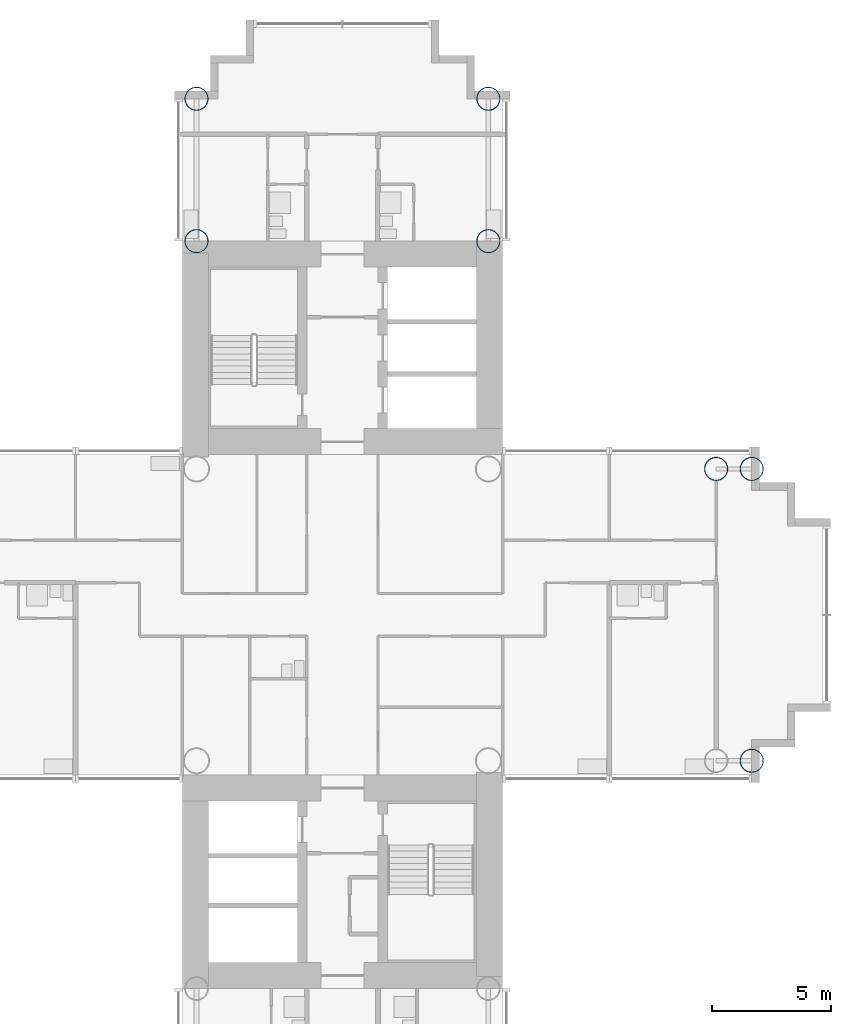
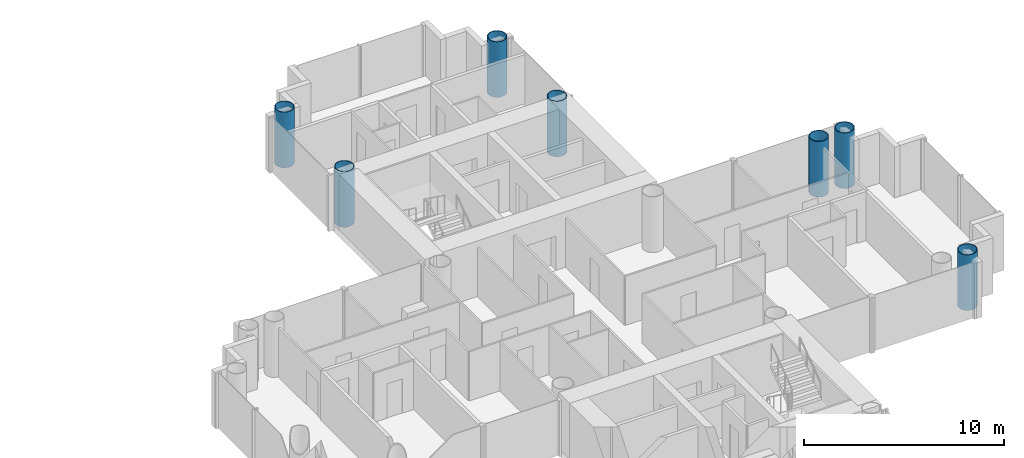
# One storey, part 2 of 21: 7 columns.
"""IFC4 building model written with IfcOpenShell, lengths in metres."""

from ifc_helpers import new_model, si_unit, direction, frame, origin, origin_2d, place, context, subcontext, project, spatial, hollow_circle, extrude, material, material_profile, profile_set, type_object, element, save


model = new_model("IFC4")

# Units and contexts
model_context = context("Model", 3, precision=1e-05, world=origin(), true_north=direction((0.0, 1.0)))
body_context = subcontext(model_context, "Body", "Model", "MODEL_VIEW")
ifc_project = project(units=[si_unit("LENGTHUNIT", "METRE"), si_unit("AREAUNIT", "SQUARE_METRE"), si_unit("VOLUMEUNIT", "CUBIC_METRE"), si_unit("PLANEANGLEUNIT", "RADIAN"), si_unit("MASSUNIT", "GRAM", prefix="KILO")], contexts=[model_context])

# Site, building, storey
site_placement = place(None, origin())
site = spatial("IfcSite", under=ifc_project, at=site_placement, CompositionType="ELEMENT")
building_placement = place(site_placement, origin())
building = spatial("IfcBuilding", under=site, at=building_placement, Name="Ipe Terrace Towers", CompositionType="ELEMENT")
storey_placement = place(building_placement, frame((0.0, 0.0, 48.300048828125)))
storey = spatial("IfcBuildingStorey", under=building, at=storey_placement, Name="L12", CompositionType="ELEMENT", Elevation=48.300048828125)

# Columns
ifc_material = material(Name="Steel S355 tube with Concrete C60/75 fill", Category="concrete")
ifc_material_profile = material_profile(ifc_material, hollow_circle(Radius=0.5, WallThickness=0.035888671875, at=origin_2d()), Name="CHS-1000x36")
ifc_profile_set = profile_set([ifc_material_profile], Name="Steel S355 tube with Concrete C60/75 fill")
column_type = type_object("IfcColumnType", Name="CH01 COLUMN CHS-1000x36", PredefinedType="COLUMN", material=ifc_profile_set)
for number, where, z_axis, x_axis, name in (
    (1, (42.14990234375, 15.75, 0.0), (0.0, 0.0, 1.0), (1.0, 0.0, 0.0), "Column T2-C-A01"),
    (2, (29.85009765625, 15.75, 0.0), (0.0, 0.0, 1.0), (1.0, 0.0, 0.0), "Column T2-C-A02"),
    (3, (42.14990234375, 21.75, 0.0), (0.0, 0.0, 1.0), (1.0, 0.0, 0.0), "Column T2-C-A03"),
    (4, (29.85009765625, 21.75, 0.0), (0.0, 0.0, 1.0), (1.0, 0.0, 0.0), "Column T2-C-A04"),
    (5, (51.75, 6.14990234375, 0.0), (0.0, 0.0, 1.0), (1.0, 0.0, 0.0), "Column T2-C-D04"),
    (6, (53.25, -6.14990234375, 0.0), (0.0, 0.0, 1.0), (1.0, 0.0, 0.0), "Column T2-C-D05"),
    (7, (53.25, 6.14990234375, 0.0), (0.0, 0.0, 1.0), (1.0, 0.0, 0.0), "Column T2-C-D06"),
):
    element("IfcColumn", number, at=place(storey_placement, frame(where, z_axis=z_axis, x_axis=x_axis)), inside=storey, type_object=column_type, Name=name, PredefinedType="COLUMN", context=body_context, shape_type="SweptSolid", body=[
        extrude(hollow_circle(Radius=0.5, WallThickness=0.035888671875, at=origin_2d()), origin(), (0.0, 0.0, 1.0), 3.39990234375),
    ])

save(model, "model.ifc")
